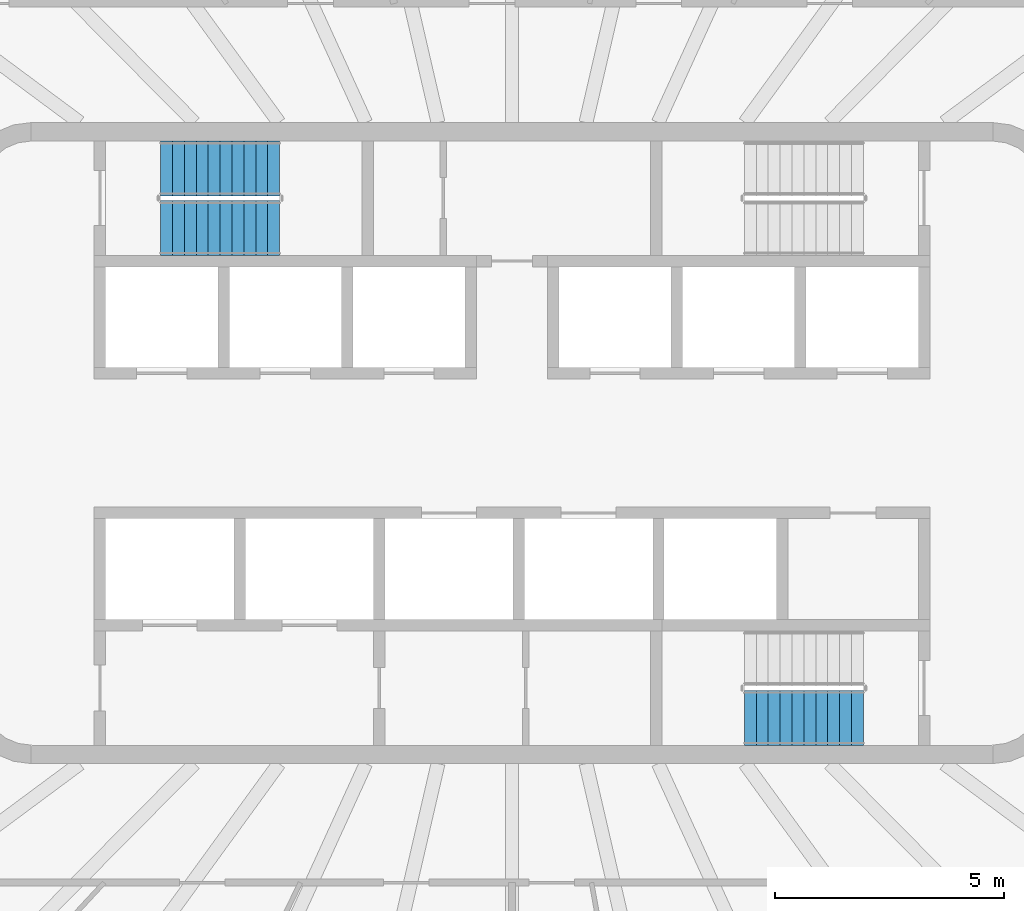
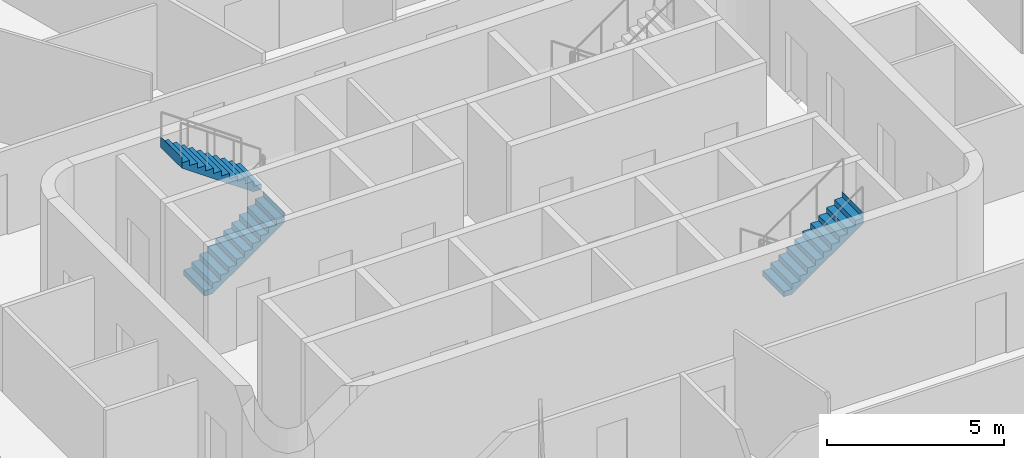
# One storey, part 14 of 20: 3 stair flights, 2 elements without a shape of their own.
"""IFC4 building model written with IfcOpenShell, lengths in metres."""

from ifc_helpers import new_model, si_unit, direction, frame, origin, place, context, subcontext, project, spatial, triangles, material, type_object, element, aggregate, save


model = new_model("IFC4")

# Units and contexts
model_context = context("Model", 3, precision=1e-05, world=origin(), true_north=direction((0.0, 1.0)))
body_context = subcontext(model_context, "Body", "Model", "MODEL_VIEW")
ifc_project = project(units=[si_unit("LENGTHUNIT", "METRE"), si_unit("AREAUNIT", "SQUARE_METRE"), si_unit("VOLUMEUNIT", "CUBIC_METRE"), si_unit("PLANEANGLEUNIT", "RADIAN"), si_unit("MASSUNIT", "GRAM", prefix="KILO")], contexts=[model_context])

# Site, building, storey
site_placement = place(None, origin())
site = spatial("IfcSite", under=ifc_project, at=site_placement, CompositionType="ELEMENT")
building_placement = place(site_placement, origin())
building = spatial("IfcBuilding", under=site, at=building_placement, Name="Sahrelin Media Tower", CompositionType="ELEMENT")
storey_placement = place(building_placement, frame((0.0, 0.0, 225.60009765625)))
storey = spatial("IfcBuildingStorey", under=building, at=storey_placement, Name="L48", CompositionType="ELEMENT", Elevation=225.60009765625)

# Stair, stair flights
ifc_material = material(Name="Concrete C40/50", Category="concrete")
stair_type = type_object("IfcStairType", Name="Exit stair 1200", PredefinedType="HALF_TURN_STAIR", material=ifc_material)
placement = place(storey_placement, origin())
stair_1 = element("IfcStair", 1, at=placement, inside=storey, type_object=stair_type, Name="L48 Exit stair ST1", PredefinedType="HALF_TURN_STAIR")
stair_flight_type = type_object("IfcStairFlightType", Name="Stair flight 1200", PredefinedType="STRAIGHT", material=ifc_material)
stair_flight_1_placement = place(storey_placement, frame((-7.675048828125, 4.699951171875, 0.0), z_axis=(0.0, 0.0, 1.0), x_axis=(1.0, 0.0, 0.0)))
stair_flight_1 = element("IfcStairFlight", 2, at=stair_flight_1_placement, type_object=stair_flight_type, Name="ST1 flight 1", NumberOfRisers=11, NumberOfTreads=10, PredefinedType="STRAIGHT", RiserHeight=0.181818182, TreadLength=0.26, context=body_context, shape_type="Tessellation", body=[
    triangles([(0.261474609375, 0.60009765625, 0.0), (0.261474609375, 0.300048828125, 0.0), (0.261474609375, 0.0, 0.0), (0.261474609375, -0.300048828125, 0.0), (0.261474609375, -0.60009765625, 0.0), (2.60009765625, 0.60009765625, 1.63525390625), (2.60009765625, 0.300048828125, 1.63525390625), (2.60009765625, 0.0, 1.63525390625), (2.60009765625, -0.300048828125, 1.63525390625), (2.60009765625, -0.60009765625, 1.63525390625), (2.60009765625, 0.60009765625, 2.0), (2.60009765625, 0.300048828125, 2.0), (2.60009765625, 0.0, 2.0), (2.60009765625, -0.300048828125, 2.0), (2.60009765625, -0.60009765625, 2.0), (2.597900390625, 0.60009765625, 2.0), (2.597900390625, 0.300048828125, 2.0), (2.597900390625, 0.0, 2.0), (2.597900390625, -0.300048828125, 2.0), (2.597900390625, -0.60009765625, 2.0), (2.597900390625, 0.60009765625, 1.818115234375), (2.597900390625, 0.300048828125, 1.818115234375), (2.597900390625, 0.0, 1.818115234375), (2.597900390625, -0.300048828125, 1.818115234375), (2.597900390625, -0.60009765625, 1.818115234375), (2.340087890625, 0.60009765625, 1.818115234375), (2.340087890625, 0.300048828125, 1.818115234375), (2.340087890625, 0.0, 1.818115234375), (2.340087890625, -0.300048828125, 1.818115234375), (2.340087890625, -0.60009765625, 1.818115234375), (2.340087890625, 0.60009765625, 1.636474609375), (2.340087890625, 0.300048828125, 1.636474609375), (2.340087890625, 0.0, 1.636474609375), (2.340087890625, -0.300048828125, 1.636474609375), (2.340087890625, -0.60009765625, 1.636474609375), (2.080078125, 0.60009765625, 1.636474609375), (2.080078125, 0.300048828125, 1.636474609375), (2.080078125, 0.0, 1.636474609375), (2.080078125, -0.300048828125, 1.636474609375), (2.080078125, -0.60009765625, 1.636474609375), (2.080078125, 0.60009765625, 1.45458984375), (2.080078125, 0.300048828125, 1.45458984375), (2.080078125, 0.0, 1.45458984375), (2.080078125, -0.300048828125, 1.45458984375), (2.080078125, -0.60009765625, 1.45458984375), (1.820068359375, 0.60009765625, 1.45458984375), (1.820068359375, 0.300048828125, 1.45458984375), (1.820068359375, 0.0, 1.45458984375), (1.820068359375, -0.300048828125, 1.45458984375), (1.820068359375, -0.60009765625, 1.45458984375), (1.820068359375, 0.60009765625, 1.272705078125), (1.820068359375, 0.300048828125, 1.272705078125), (1.820068359375, 0.0, 1.272705078125), (1.820068359375, -0.300048828125, 1.272705078125), (1.820068359375, -0.60009765625, 1.272705078125), (1.56005859375, 0.60009765625, 1.272705078125), (1.56005859375, 0.300048828125, 1.272705078125), (1.56005859375, 0.0, 1.272705078125), (1.56005859375, -0.300048828125, 1.272705078125), (1.56005859375, -0.60009765625, 1.272705078125), (1.56005859375, 0.60009765625, 1.0908203125), (1.56005859375, 0.300048828125, 1.0908203125), (1.56005859375, 0.0, 1.0908203125), (1.56005859375, -0.300048828125, 1.0908203125), (1.56005859375, -0.60009765625, 1.0908203125), (1.300048828125, 0.60009765625, 1.0908203125), (1.300048828125, 0.300048828125, 1.0908203125), (1.300048828125, 0.0, 1.0908203125), (1.300048828125, -0.300048828125, 1.0908203125), (1.300048828125, -0.60009765625, 1.0908203125), (1.300048828125, 0.60009765625, 0.9091796875), (1.300048828125, 0.300048828125, 0.9091796875), (1.300048828125, 0.0, 0.9091796875), (1.300048828125, -0.300048828125, 0.9091796875), (1.300048828125, -0.60009765625, 0.9091796875), (1.0400390625, 0.60009765625, 0.9091796875), (1.0400390625, 0.300048828125, 0.9091796875), (1.0400390625, 0.0, 0.9091796875), (1.0400390625, -0.300048828125, 0.9091796875), (1.0400390625, -0.60009765625, 0.9091796875), (1.0400390625, 0.60009765625, 0.727294921875), (1.0400390625, 0.300048828125, 0.727294921875), (1.0400390625, 0.0, 0.727294921875), (1.0400390625, -0.300048828125, 0.727294921875), (1.0400390625, -0.60009765625, 0.727294921875), (0.780029296875, 0.60009765625, 0.727294921875), (0.780029296875, 0.300048828125, 0.727294921875), (0.780029296875, 0.0, 0.727294921875), (0.780029296875, -0.300048828125, 0.727294921875), (0.780029296875, -0.60009765625, 0.727294921875), (0.780029296875, 0.60009765625, 0.54541015625), (0.780029296875, 0.300048828125, 0.54541015625), (0.780029296875, 0.0, 0.54541015625), (0.780029296875, -0.300048828125, 0.54541015625), (0.780029296875, -0.60009765625, 0.54541015625), (0.52001953125, 0.60009765625, 0.54541015625), (0.52001953125, 0.300048828125, 0.54541015625), (0.52001953125, 0.0, 0.54541015625), (0.52001953125, -0.300048828125, 0.54541015625), (0.52001953125, -0.60009765625, 0.54541015625), (0.52001953125, 0.60009765625, 0.363525390625), (0.52001953125, 0.300048828125, 0.363525390625), (0.52001953125, 0.0, 0.363525390625), (0.52001953125, -0.300048828125, 0.363525390625), (0.52001953125, -0.60009765625, 0.363525390625), (0.260009765625, 0.60009765625, 0.363525390625), (0.260009765625, 0.300048828125, 0.363525390625), (0.260009765625, 0.0, 0.363525390625), (0.260009765625, -0.300048828125, 0.363525390625), (0.260009765625, -0.60009765625, 0.363525390625), (0.260009765625, 0.60009765625, 0.181884765625), (0.260009765625, 0.300048828125, 0.181884765625), (0.260009765625, 0.0, 0.181884765625), (0.260009765625, -0.300048828125, 0.181884765625), (0.260009765625, -0.60009765625, 0.181884765625), (0.0, 0.60009765625, 0.181884765625), (0.0, 0.300048828125, 0.181884765625), (0.0, 0.0, 0.181884765625), (0.0, -0.300048828125, 0.181884765625), (0.0, -0.60009765625, 0.181884765625), (0.0, 0.60009765625, 0.0), (0.0, 0.300048828125, 0.0), (0.0, 0.0, 0.0), (0.0, -0.300048828125, 0.0), (0.0, -0.60009765625, 0.0)], [[1, 6, 7], [1, 7, 2], [2, 7, 8], [2, 8, 3], [3, 8, 9], [3, 9, 4], [4, 9, 10], [4, 10, 5], [6, 11, 12], [6, 12, 7], [7, 12, 13], [7, 13, 8], [8, 13, 14], [8, 14, 9], [9, 14, 15], [9, 15, 10], [11, 16, 17], [11, 17, 12], [12, 17, 18], [12, 18, 13], [13, 18, 19], [13, 19, 14], [14, 19, 20], [14, 20, 15], [16, 21, 22], [16, 22, 17], [17, 22, 23], [17, 23, 18], [18, 23, 24], [18, 24, 19], [19, 24, 25], [19, 25, 20], [21, 26, 27], [21, 27, 22], [22, 27, 28], [22, 28, 23], [23, 28, 29], [23, 29, 24], [24, 29, 30], [24, 30, 25], [26, 31, 32], [26, 32, 27], [27, 32, 33], [27, 33, 28], [28, 33, 34], [28, 34, 29], [29, 34, 35], [29, 35, 30], [31, 36, 37], [31, 37, 32], [32, 37, 38], [32, 38, 33], [33, 38, 39], [33, 39, 34], [34, 39, 40], [34, 40, 35], [36, 41, 42], [36, 42, 37], [37, 42, 43], [37, 43, 38], [38, 43, 44], [38, 44, 39], [39, 44, 45], [39, 45, 40], [41, 46, 47], [41, 47, 42], [42, 47, 48], [42, 48, 43], [43, 48, 49], [43, 49, 44], [44, 49, 50], [44, 50, 45], [46, 51, 52], [46, 52, 47], [47, 52, 53], [47, 53, 48], [48, 53, 54], [48, 54, 49], [49, 54, 55], [49, 55, 50], [51, 56, 57], [51, 57, 52], [52, 57, 58], [52, 58, 53], [53, 58, 59], [53, 59, 54], [54, 59, 60], [54, 60, 55], [56, 61, 62], [56, 62, 57], [57, 62, 63], [57, 63, 58], [58, 63, 64], [58, 64, 59], [59, 64, 65], [59, 65, 60], [61, 66, 67], [61, 67, 62], [62, 67, 68], [62, 68, 63], [63, 68, 69], [63, 69, 64], [64, 69, 70], [64, 70, 65], [66, 71, 72], [66, 72, 67], [67, 72, 73], [67, 73, 68], [68, 73, 74], [68, 74, 69], [69, 74, 75], [69, 75, 70], [71, 76, 77], [71, 77, 72], [72, 77, 78], [72, 78, 73], [73, 78, 79], [73, 79, 74], [74, 79, 80], [74, 80, 75], [76, 81, 82], [76, 82, 77], [77, 82, 83], [77, 83, 78], [78, 83, 84], [78, 84, 79], [79, 84, 85], [79, 85, 80], [81, 86, 87], [81, 87, 82], [82, 87, 88], [82, 88, 83], [83, 88, 89], [83, 89, 84], [84, 89, 90], [84, 90, 85], [86, 91, 92], [86, 92, 87], [87, 92, 93], [87, 93, 88], [88, 93, 94], [88, 94, 89], [89, 94, 95], [89, 95, 90], [91, 96, 97], [91, 97, 92], [92, 97, 98], [92, 98, 93], [93, 98, 99], [93, 99, 94], [94, 99, 100], [94, 100, 95], [96, 101, 102], [96, 102, 97], [97, 102, 103], [97, 103, 98], [98, 103, 104], [98, 104, 99], [99, 104, 105], [99, 105, 100], [101, 106, 107], [101, 107, 102], [102, 107, 108], [102, 108, 103], [103, 108, 109], [103, 109, 104], [104, 109, 110], [104, 110, 105], [106, 111, 112], [106, 112, 107], [107, 112, 113], [107, 113, 108], [108, 113, 114], [108, 114, 109], [109, 114, 115], [109, 115, 110], [111, 116, 117], [111, 117, 112], [112, 117, 118], [112, 118, 113], [113, 118, 119], [113, 119, 114], [114, 119, 120], [114, 120, 115], [116, 121, 122], [116, 122, 117], [117, 122, 123], [117, 123, 118], [118, 123, 124], [118, 124, 119], [119, 124, 125], [119, 125, 120], [121, 1, 2], [121, 2, 122], [122, 2, 3], [122, 3, 123], [123, 3, 4], [123, 4, 124], [124, 4, 5], [124, 5, 125], [115, 120, 125], [111, 121, 116], [115, 105, 110], [111, 106, 101], [105, 95, 100], [101, 96, 91], [95, 85, 90], [91, 86, 81], [85, 75, 80], [81, 76, 71], [75, 65, 70], [71, 66, 61], [65, 55, 60], [61, 56, 51], [55, 45, 50], [51, 46, 41], [45, 35, 40], [41, 36, 31], [35, 25, 30], [31, 26, 21], [25, 15, 20], [21, 16, 11], [125, 5, 115], [121, 111, 1], [25, 10, 15], [21, 11, 6], [105, 115, 5], [101, 1, 111], [35, 10, 25], [31, 21, 6], [95, 105, 5], [91, 1, 101], [45, 10, 35], [41, 31, 6], [85, 95, 5], [81, 1, 91], [55, 10, 45], [51, 41, 6], [75, 85, 5], [71, 1, 81], [65, 10, 55], [61, 51, 6], [5, 10, 75], [1, 71, 6], [75, 10, 65], [71, 61, 6]], closed=True),
])
stair_flight_2_placement = place(storey_placement, frame((-5.074951171875, 6.0, 2.0), z_axis=(0.0, 0.0, 1.0), x_axis=(-1.0, 0.0, 0.0)))
stair_flight_2 = element("IfcStairFlight", 3, at=stair_flight_2_placement, type_object=stair_flight_type, Name="ST1 flight 2", NumberOfRisers=11, NumberOfTreads=10, PredefinedType="STRAIGHT", RiserHeight=0.181818182, TreadLength=0.26, context=body_context, shape_type="Tessellation", body=[
    triangles([(0.261474609375, 0.60009765625, 0.0), (0.261474609375, 0.300048828125, 0.0), (0.261474609375, 0.0, 0.0), (0.261474609375, -0.300048828125, 0.0), (0.261474609375, -0.60009765625, 0.0), (2.60009765625, 0.60009765625, 1.63525390625), (2.60009765625, 0.300048828125, 1.63525390625), (2.60009765625, 0.0, 1.63525390625), (2.60009765625, -0.300048828125, 1.63525390625), (2.60009765625, -0.60009765625, 1.63525390625), (2.60009765625, 0.60009765625, 2.0), (2.60009765625, 0.300048828125, 2.0), (2.60009765625, 0.0, 2.0), (2.60009765625, -0.300048828125, 2.0), (2.60009765625, -0.60009765625, 2.0), (2.597900390625, 0.60009765625, 2.0), (2.597900390625, 0.300048828125, 2.0), (2.597900390625, 0.0, 2.0), (2.597900390625, -0.300048828125, 2.0), (2.597900390625, -0.60009765625, 2.0), (2.597900390625, 0.60009765625, 1.818115234375), (2.597900390625, 0.300048828125, 1.818115234375), (2.597900390625, 0.0, 1.818115234375), (2.597900390625, -0.300048828125, 1.818115234375), (2.597900390625, -0.60009765625, 1.818115234375), (2.340087890625, 0.60009765625, 1.818115234375), (2.340087890625, 0.300048828125, 1.818115234375), (2.340087890625, 0.0, 1.818115234375), (2.340087890625, -0.300048828125, 1.818115234375), (2.340087890625, -0.60009765625, 1.818115234375), (2.340087890625, 0.60009765625, 1.636474609375), (2.340087890625, 0.300048828125, 1.636474609375), (2.340087890625, 0.0, 1.636474609375), (2.340087890625, -0.300048828125, 1.636474609375), (2.340087890625, -0.60009765625, 1.636474609375), (2.080078125, 0.60009765625, 1.636474609375), (2.080078125, 0.300048828125, 1.636474609375), (2.080078125, 0.0, 1.636474609375), (2.080078125, -0.300048828125, 1.636474609375), (2.080078125, -0.60009765625, 1.636474609375), (2.080078125, 0.60009765625, 1.45458984375), (2.080078125, 0.300048828125, 1.45458984375), (2.080078125, 0.0, 1.45458984375), (2.080078125, -0.300048828125, 1.45458984375), (2.080078125, -0.60009765625, 1.45458984375), (1.820068359375, 0.60009765625, 1.45458984375), (1.820068359375, 0.300048828125, 1.45458984375), (1.820068359375, 0.0, 1.45458984375), (1.820068359375, -0.300048828125, 1.45458984375), (1.820068359375, -0.60009765625, 1.45458984375), (1.820068359375, 0.60009765625, 1.272705078125), (1.820068359375, 0.300048828125, 1.272705078125), (1.820068359375, 0.0, 1.272705078125), (1.820068359375, -0.300048828125, 1.272705078125), (1.820068359375, -0.60009765625, 1.272705078125), (1.56005859375, 0.60009765625, 1.272705078125), (1.56005859375, 0.300048828125, 1.272705078125), (1.56005859375, 0.0, 1.272705078125), (1.56005859375, -0.300048828125, 1.272705078125), (1.56005859375, -0.60009765625, 1.272705078125), (1.56005859375, 0.60009765625, 1.0908203125), (1.56005859375, 0.300048828125, 1.0908203125), (1.56005859375, 0.0, 1.0908203125), (1.56005859375, -0.300048828125, 1.0908203125), (1.56005859375, -0.60009765625, 1.0908203125), (1.300048828125, 0.60009765625, 1.0908203125), (1.300048828125, 0.300048828125, 1.0908203125), (1.300048828125, 0.0, 1.0908203125), (1.300048828125, -0.300048828125, 1.0908203125), (1.300048828125, -0.60009765625, 1.0908203125), (1.300048828125, 0.60009765625, 0.9091796875), (1.300048828125, 0.300048828125, 0.9091796875), (1.300048828125, 0.0, 0.9091796875), (1.300048828125, -0.300048828125, 0.9091796875), (1.300048828125, -0.60009765625, 0.9091796875), (1.0400390625, 0.60009765625, 0.9091796875), (1.0400390625, 0.300048828125, 0.9091796875), (1.0400390625, 0.0, 0.9091796875), (1.0400390625, -0.300048828125, 0.9091796875), (1.0400390625, -0.60009765625, 0.9091796875), (1.0400390625, 0.60009765625, 0.727294921875), (1.0400390625, 0.300048828125, 0.727294921875), (1.0400390625, 0.0, 0.727294921875), (1.0400390625, -0.300048828125, 0.727294921875), (1.0400390625, -0.60009765625, 0.727294921875), (0.780029296875, 0.60009765625, 0.727294921875), (0.780029296875, 0.300048828125, 0.727294921875), (0.780029296875, 0.0, 0.727294921875), (0.780029296875, -0.300048828125, 0.727294921875), (0.780029296875, -0.60009765625, 0.727294921875), (0.780029296875, 0.60009765625, 0.54541015625), (0.780029296875, 0.300048828125, 0.54541015625), (0.780029296875, 0.0, 0.54541015625), (0.780029296875, -0.300048828125, 0.54541015625), (0.780029296875, -0.60009765625, 0.54541015625), (0.52001953125, 0.60009765625, 0.54541015625), (0.52001953125, 0.300048828125, 0.54541015625), (0.52001953125, 0.0, 0.54541015625), (0.52001953125, -0.300048828125, 0.54541015625), (0.52001953125, -0.60009765625, 0.54541015625), (0.52001953125, 0.60009765625, 0.363525390625), (0.52001953125, 0.300048828125, 0.363525390625), (0.52001953125, 0.0, 0.363525390625), (0.52001953125, -0.300048828125, 0.363525390625), (0.52001953125, -0.60009765625, 0.363525390625), (0.260009765625, 0.60009765625, 0.363525390625), (0.260009765625, 0.300048828125, 0.363525390625), (0.260009765625, 0.0, 0.363525390625), (0.260009765625, -0.300048828125, 0.363525390625), (0.260009765625, -0.60009765625, 0.363525390625), (0.260009765625, 0.60009765625, 0.181884765625), (0.260009765625, 0.300048828125, 0.181884765625), (0.260009765625, 0.0, 0.181884765625), (0.260009765625, -0.300048828125, 0.181884765625), (0.260009765625, -0.60009765625, 0.181884765625), (0.0, 0.60009765625, 0.181884765625), (0.0, 0.300048828125, 0.181884765625), (0.0, 0.0, 0.181884765625), (0.0, -0.300048828125, 0.181884765625), (0.0, -0.60009765625, 0.181884765625), (0.0, 0.60009765625, 0.0), (0.0, 0.300048828125, 0.0), (0.0, 0.0, 0.0), (0.0, -0.300048828125, 0.0), (0.0, -0.60009765625, 0.0)], [[1, 6, 7], [1, 7, 2], [2, 7, 8], [2, 8, 3], [3, 8, 9], [3, 9, 4], [4, 9, 10], [4, 10, 5], [6, 11, 12], [6, 12, 7], [7, 12, 13], [7, 13, 8], [8, 13, 14], [8, 14, 9], [9, 14, 15], [9, 15, 10], [11, 16, 17], [11, 17, 12], [12, 17, 18], [12, 18, 13], [13, 18, 19], [13, 19, 14], [14, 19, 20], [14, 20, 15], [16, 21, 22], [16, 22, 17], [17, 22, 23], [17, 23, 18], [18, 23, 24], [18, 24, 19], [19, 24, 25], [19, 25, 20], [21, 26, 27], [21, 27, 22], [22, 27, 28], [22, 28, 23], [23, 28, 29], [23, 29, 24], [24, 29, 30], [24, 30, 25], [26, 31, 32], [26, 32, 27], [27, 32, 33], [27, 33, 28], [28, 33, 34], [28, 34, 29], [29, 34, 35], [29, 35, 30], [31, 36, 37], [31, 37, 32], [32, 37, 38], [32, 38, 33], [33, 38, 39], [33, 39, 34], [34, 39, 40], [34, 40, 35], [36, 41, 42], [36, 42, 37], [37, 42, 43], [37, 43, 38], [38, 43, 44], [38, 44, 39], [39, 44, 45], [39, 45, 40], [41, 46, 47], [41, 47, 42], [42, 47, 48], [42, 48, 43], [43, 48, 49], [43, 49, 44], [44, 49, 50], [44, 50, 45], [46, 51, 52], [46, 52, 47], [47, 52, 53], [47, 53, 48], [48, 53, 54], [48, 54, 49], [49, 54, 55], [49, 55, 50], [51, 56, 57], [51, 57, 52], [52, 57, 58], [52, 58, 53], [53, 58, 59], [53, 59, 54], [54, 59, 60], [54, 60, 55], [56, 61, 62], [56, 62, 57], [57, 62, 63], [57, 63, 58], [58, 63, 64], [58, 64, 59], [59, 64, 65], [59, 65, 60], [61, 66, 67], [61, 67, 62], [62, 67, 68], [62, 68, 63], [63, 68, 69], [63, 69, 64], [64, 69, 70], [64, 70, 65], [66, 71, 72], [66, 72, 67], [67, 72, 73], [67, 73, 68], [68, 73, 74], [68, 74, 69], [69, 74, 75], [69, 75, 70], [71, 76, 77], [71, 77, 72], [72, 77, 78], [72, 78, 73], [73, 78, 79], [73, 79, 74], [74, 79, 80], [74, 80, 75], [76, 81, 82], [76, 82, 77], [77, 82, 83], [77, 83, 78], [78, 83, 84], [78, 84, 79], [79, 84, 85], [79, 85, 80], [81, 86, 87], [81, 87, 82], [82, 87, 88], [82, 88, 83], [83, 88, 89], [83, 89, 84], [84, 89, 90], [84, 90, 85], [86, 91, 92], [86, 92, 87], [87, 92, 93], [87, 93, 88], [88, 93, 94], [88, 94, 89], [89, 94, 95], [89, 95, 90], [91, 96, 97], [91, 97, 92], [92, 97, 98], [92, 98, 93], [93, 98, 99], [93, 99, 94], [94, 99, 100], [94, 100, 95], [96, 101, 102], [96, 102, 97], [97, 102, 103], [97, 103, 98], [98, 103, 104], [98, 104, 99], [99, 104, 105], [99, 105, 100], [101, 106, 107], [101, 107, 102], [102, 107, 108], [102, 108, 103], [103, 108, 109], [103, 109, 104], [104, 109, 110], [104, 110, 105], [106, 111, 112], [106, 112, 107], [107, 112, 113], [107, 113, 108], [108, 113, 114], [108, 114, 109], [109, 114, 115], [109, 115, 110], [111, 116, 117], [111, 117, 112], [112, 117, 118], [112, 118, 113], [113, 118, 119], [113, 119, 114], [114, 119, 120], [114, 120, 115], [116, 121, 122], [116, 122, 117], [117, 122, 123], [117, 123, 118], [118, 123, 124], [118, 124, 119], [119, 124, 125], [119, 125, 120], [121, 1, 2], [121, 2, 122], [122, 2, 3], [122, 3, 123], [123, 3, 4], [123, 4, 124], [124, 4, 5], [124, 5, 125], [115, 120, 125], [111, 121, 116], [115, 105, 110], [111, 106, 101], [105, 95, 100], [101, 96, 91], [95, 85, 90], [91, 86, 81], [85, 75, 80], [81, 76, 71], [75, 65, 70], [71, 66, 61], [65, 55, 60], [61, 56, 51], [55, 45, 50], [51, 46, 41], [45, 35, 40], [41, 36, 31], [35, 25, 30], [31, 26, 21], [25, 15, 20], [21, 16, 11], [125, 5, 115], [121, 111, 1], [25, 10, 15], [21, 11, 6], [105, 115, 5], [101, 1, 111], [35, 10, 25], [31, 21, 6], [95, 105, 5], [91, 1, 101], [45, 10, 35], [41, 31, 6], [85, 95, 5], [81, 1, 91], [55, 10, 45], [51, 41, 6], [75, 85, 5], [71, 1, 81], [65, 10, 55], [61, 51, 6], [5, 10, 75], [1, 71, 6], [75, 10, 65], [71, 61, 6]], closed=True),
])
aggregate(stair_1, [stair_flight_1, stair_flight_2])

# Stair, stair flight
stair_2 = element("IfcStair", 4, at=placement, inside=storey, type_object=stair_type, Name="L48 Exit stair ST2", PredefinedType="HALF_TURN_STAIR")
stair_flight_3_placement = place(storey_placement, frame((5.074951171875, -6.0, 2.0), z_axis=(0.0, 0.0, 1.0), x_axis=(1.0, 0.0, 0.0)))
stair_flight_3 = element("IfcStairFlight", 5, at=stair_flight_3_placement, type_object=stair_flight_type, Name="ST2 flight 2", NumberOfRisers=11, NumberOfTreads=10, PredefinedType="STRAIGHT", RiserHeight=0.181818182, TreadLength=0.26, context=body_context, shape_type="Tessellation", body=[
    triangles([(0.261474609375, 0.60009765625, 0.0), (0.261474609375, 0.300048828125, 0.0), (0.261474609375, 0.0, 0.0), (0.261474609375, -0.300048828125, 0.0), (0.261474609375, -0.60009765625, 0.0), (2.60009765625, 0.60009765625, 1.63525390625), (2.60009765625, 0.300048828125, 1.63525390625), (2.60009765625, 0.0, 1.63525390625), (2.60009765625, -0.300048828125, 1.63525390625), (2.60009765625, -0.60009765625, 1.63525390625), (2.60009765625, 0.60009765625, 2.0), (2.60009765625, 0.300048828125, 2.0), (2.60009765625, 0.0, 2.0), (2.60009765625, -0.300048828125, 2.0), (2.60009765625, -0.60009765625, 2.0), (2.597900390625, 0.60009765625, 2.0), (2.597900390625, 0.300048828125, 2.0), (2.597900390625, 0.0, 2.0), (2.597900390625, -0.300048828125, 2.0), (2.597900390625, -0.60009765625, 2.0), (2.597900390625, 0.60009765625, 1.818115234375), (2.597900390625, 0.300048828125, 1.818115234375), (2.597900390625, 0.0, 1.818115234375), (2.597900390625, -0.300048828125, 1.818115234375), (2.597900390625, -0.60009765625, 1.818115234375), (2.340087890625, 0.60009765625, 1.818115234375), (2.340087890625, 0.300048828125, 1.818115234375), (2.340087890625, 0.0, 1.818115234375), (2.340087890625, -0.300048828125, 1.818115234375), (2.340087890625, -0.60009765625, 1.818115234375), (2.340087890625, 0.60009765625, 1.636474609375), (2.340087890625, 0.300048828125, 1.636474609375), (2.340087890625, 0.0, 1.636474609375), (2.340087890625, -0.300048828125, 1.636474609375), (2.340087890625, -0.60009765625, 1.636474609375), (2.080078125, 0.60009765625, 1.636474609375), (2.080078125, 0.300048828125, 1.636474609375), (2.080078125, 0.0, 1.636474609375), (2.080078125, -0.300048828125, 1.636474609375), (2.080078125, -0.60009765625, 1.636474609375), (2.080078125, 0.60009765625, 1.45458984375), (2.080078125, 0.300048828125, 1.45458984375), (2.080078125, 0.0, 1.45458984375), (2.080078125, -0.300048828125, 1.45458984375), (2.080078125, -0.60009765625, 1.45458984375), (1.820068359375, 0.60009765625, 1.45458984375), (1.820068359375, 0.300048828125, 1.45458984375), (1.820068359375, 0.0, 1.45458984375), (1.820068359375, -0.300048828125, 1.45458984375), (1.820068359375, -0.60009765625, 1.45458984375), (1.820068359375, 0.60009765625, 1.272705078125), (1.820068359375, 0.300048828125, 1.272705078125), (1.820068359375, 0.0, 1.272705078125), (1.820068359375, -0.300048828125, 1.272705078125), (1.820068359375, -0.60009765625, 1.272705078125), (1.56005859375, 0.60009765625, 1.272705078125), (1.56005859375, 0.300048828125, 1.272705078125), (1.56005859375, 0.0, 1.272705078125), (1.56005859375, -0.300048828125, 1.272705078125), (1.56005859375, -0.60009765625, 1.272705078125), (1.56005859375, 0.60009765625, 1.0908203125), (1.56005859375, 0.300048828125, 1.0908203125), (1.56005859375, 0.0, 1.0908203125), (1.56005859375, -0.300048828125, 1.0908203125), (1.56005859375, -0.60009765625, 1.0908203125), (1.300048828125, 0.60009765625, 1.0908203125), (1.300048828125, 0.300048828125, 1.0908203125), (1.300048828125, 0.0, 1.0908203125), (1.300048828125, -0.300048828125, 1.0908203125), (1.300048828125, -0.60009765625, 1.0908203125), (1.300048828125, 0.60009765625, 0.9091796875), (1.300048828125, 0.300048828125, 0.9091796875), (1.300048828125, 0.0, 0.9091796875), (1.300048828125, -0.300048828125, 0.9091796875), (1.300048828125, -0.60009765625, 0.9091796875), (1.0400390625, 0.60009765625, 0.9091796875), (1.0400390625, 0.300048828125, 0.9091796875), (1.0400390625, 0.0, 0.9091796875), (1.0400390625, -0.300048828125, 0.9091796875), (1.0400390625, -0.60009765625, 0.9091796875), (1.0400390625, 0.60009765625, 0.727294921875), (1.0400390625, 0.300048828125, 0.727294921875), (1.0400390625, 0.0, 0.727294921875), (1.0400390625, -0.300048828125, 0.727294921875), (1.0400390625, -0.60009765625, 0.727294921875), (0.780029296875, 0.60009765625, 0.727294921875), (0.780029296875, 0.300048828125, 0.727294921875), (0.780029296875, 0.0, 0.727294921875), (0.780029296875, -0.300048828125, 0.727294921875), (0.780029296875, -0.60009765625, 0.727294921875), (0.780029296875, 0.60009765625, 0.54541015625), (0.780029296875, 0.300048828125, 0.54541015625), (0.780029296875, 0.0, 0.54541015625), (0.780029296875, -0.300048828125, 0.54541015625), (0.780029296875, -0.60009765625, 0.54541015625), (0.52001953125, 0.60009765625, 0.54541015625), (0.52001953125, 0.300048828125, 0.54541015625), (0.52001953125, 0.0, 0.54541015625), (0.52001953125, -0.300048828125, 0.54541015625), (0.52001953125, -0.60009765625, 0.54541015625), (0.52001953125, 0.60009765625, 0.363525390625), (0.52001953125, 0.300048828125, 0.363525390625), (0.52001953125, 0.0, 0.363525390625), (0.52001953125, -0.300048828125, 0.363525390625), (0.52001953125, -0.60009765625, 0.363525390625), (0.260009765625, 0.60009765625, 0.363525390625), (0.260009765625, 0.300048828125, 0.363525390625), (0.260009765625, 0.0, 0.363525390625), (0.260009765625, -0.300048828125, 0.363525390625), (0.260009765625, -0.60009765625, 0.363525390625), (0.260009765625, 0.60009765625, 0.181884765625), (0.260009765625, 0.300048828125, 0.181884765625), (0.260009765625, 0.0, 0.181884765625), (0.260009765625, -0.300048828125, 0.181884765625), (0.260009765625, -0.60009765625, 0.181884765625), (0.0, 0.60009765625, 0.181884765625), (0.0, 0.300048828125, 0.181884765625), (0.0, 0.0, 0.181884765625), (0.0, -0.300048828125, 0.181884765625), (0.0, -0.60009765625, 0.181884765625), (0.0, 0.60009765625, 0.0), (0.0, 0.300048828125, 0.0), (0.0, 0.0, 0.0), (0.0, -0.300048828125, 0.0), (0.0, -0.60009765625, 0.0)], [[1, 6, 7], [1, 7, 2], [2, 7, 8], [2, 8, 3], [3, 8, 9], [3, 9, 4], [4, 9, 10], [4, 10, 5], [6, 11, 12], [6, 12, 7], [7, 12, 13], [7, 13, 8], [8, 13, 14], [8, 14, 9], [9, 14, 15], [9, 15, 10], [11, 16, 17], [11, 17, 12], [12, 17, 18], [12, 18, 13], [13, 18, 19], [13, 19, 14], [14, 19, 20], [14, 20, 15], [16, 21, 22], [16, 22, 17], [17, 22, 23], [17, 23, 18], [18, 23, 24], [18, 24, 19], [19, 24, 25], [19, 25, 20], [21, 26, 27], [21, 27, 22], [22, 27, 28], [22, 28, 23], [23, 28, 29], [23, 29, 24], [24, 29, 30], [24, 30, 25], [26, 31, 32], [26, 32, 27], [27, 32, 33], [27, 33, 28], [28, 33, 34], [28, 34, 29], [29, 34, 35], [29, 35, 30], [31, 36, 37], [31, 37, 32], [32, 37, 38], [32, 38, 33], [33, 38, 39], [33, 39, 34], [34, 39, 40], [34, 40, 35], [36, 41, 42], [36, 42, 37], [37, 42, 43], [37, 43, 38], [38, 43, 44], [38, 44, 39], [39, 44, 45], [39, 45, 40], [41, 46, 47], [41, 47, 42], [42, 47, 48], [42, 48, 43], [43, 48, 49], [43, 49, 44], [44, 49, 50], [44, 50, 45], [46, 51, 52], [46, 52, 47], [47, 52, 53], [47, 53, 48], [48, 53, 54], [48, 54, 49], [49, 54, 55], [49, 55, 50], [51, 56, 57], [51, 57, 52], [52, 57, 58], [52, 58, 53], [53, 58, 59], [53, 59, 54], [54, 59, 60], [54, 60, 55], [56, 61, 62], [56, 62, 57], [57, 62, 63], [57, 63, 58], [58, 63, 64], [58, 64, 59], [59, 64, 65], [59, 65, 60], [61, 66, 67], [61, 67, 62], [62, 67, 68], [62, 68, 63], [63, 68, 69], [63, 69, 64], [64, 69, 70], [64, 70, 65], [66, 71, 72], [66, 72, 67], [67, 72, 73], [67, 73, 68], [68, 73, 74], [68, 74, 69], [69, 74, 75], [69, 75, 70], [71, 76, 77], [71, 77, 72], [72, 77, 78], [72, 78, 73], [73, 78, 79], [73, 79, 74], [74, 79, 80], [74, 80, 75], [76, 81, 82], [76, 82, 77], [77, 82, 83], [77, 83, 78], [78, 83, 84], [78, 84, 79], [79, 84, 85], [79, 85, 80], [81, 86, 87], [81, 87, 82], [82, 87, 88], [82, 88, 83], [83, 88, 89], [83, 89, 84], [84, 89, 90], [84, 90, 85], [86, 91, 92], [86, 92, 87], [87, 92, 93], [87, 93, 88], [88, 93, 94], [88, 94, 89], [89, 94, 95], [89, 95, 90], [91, 96, 97], [91, 97, 92], [92, 97, 98], [92, 98, 93], [93, 98, 99], [93, 99, 94], [94, 99, 100], [94, 100, 95], [96, 101, 102], [96, 102, 97], [97, 102, 103], [97, 103, 98], [98, 103, 104], [98, 104, 99], [99, 104, 105], [99, 105, 100], [101, 106, 107], [101, 107, 102], [102, 107, 108], [102, 108, 103], [103, 108, 109], [103, 109, 104], [104, 109, 110], [104, 110, 105], [106, 111, 112], [106, 112, 107], [107, 112, 113], [107, 113, 108], [108, 113, 114], [108, 114, 109], [109, 114, 115], [109, 115, 110], [111, 116, 117], [111, 117, 112], [112, 117, 118], [112, 118, 113], [113, 118, 119], [113, 119, 114], [114, 119, 120], [114, 120, 115], [116, 121, 122], [116, 122, 117], [117, 122, 123], [117, 123, 118], [118, 123, 124], [118, 124, 119], [119, 124, 125], [119, 125, 120], [121, 1, 2], [121, 2, 122], [122, 2, 3], [122, 3, 123], [123, 3, 4], [123, 4, 124], [124, 4, 5], [124, 5, 125], [115, 120, 125], [111, 121, 116], [115, 105, 110], [111, 106, 101], [105, 95, 100], [101, 96, 91], [95, 85, 90], [91, 86, 81], [85, 75, 80], [81, 76, 71], [75, 65, 70], [71, 66, 61], [65, 55, 60], [61, 56, 51], [55, 45, 50], [51, 46, 41], [45, 35, 40], [41, 36, 31], [35, 25, 30], [31, 26, 21], [25, 15, 20], [21, 16, 11], [125, 5, 115], [121, 111, 1], [25, 10, 15], [21, 11, 6], [105, 115, 5], [101, 1, 111], [35, 10, 25], [31, 21, 6], [95, 105, 5], [91, 1, 101], [45, 10, 35], [41, 31, 6], [85, 95, 5], [81, 1, 91], [55, 10, 45], [51, 41, 6], [75, 85, 5], [71, 1, 81], [65, 10, 55], [61, 51, 6], [5, 10, 75], [1, 71, 6], [75, 10, 65], [71, 61, 6]], closed=True),
])
aggregate(stair_2, [stair_flight_3])

save(model, "model.ifc")
